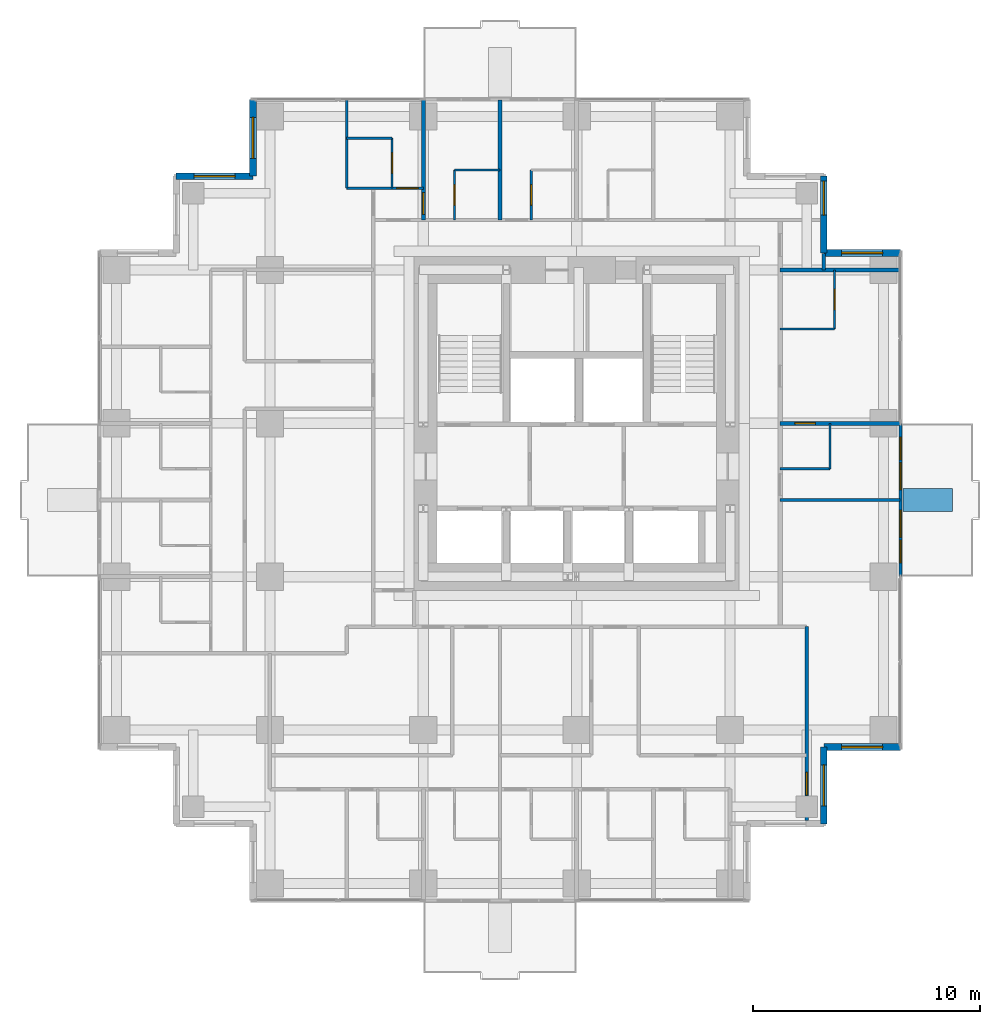
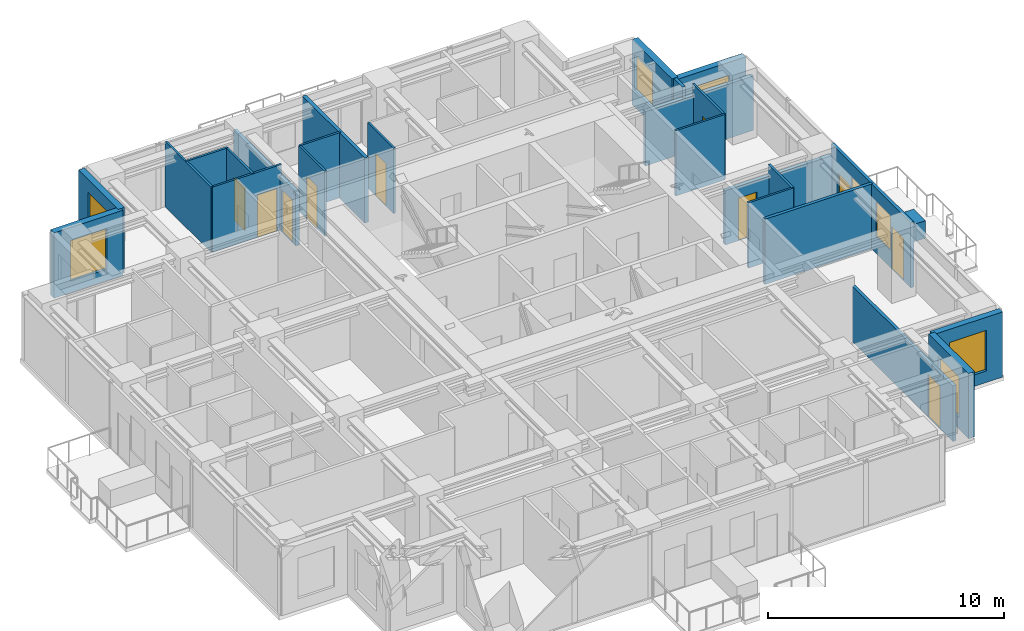
# One storey, part 8 of 10: 26 walls, 10 doors, 8 windows, 18 openings.
"""IFC4 building model written with IfcOpenShell, lengths in metres."""

import ifcopenshell
import ifcopenshell.guid

model = None  # the IFC model being written
_history = None  # IfcOwnerHistory: only IFC2X3 demands one
_inside = {}  # id of a spatial element -> (the spatial element, [elements in it])
_under = {}  # id of a project, library or spatial element -> (it, [spatial elements below it])
_declared = {}  # id of a project -> (the project, [libraries it declares])
_typed = {}  # id of a type object -> (the type object, [elements of that type])
_made_of = {}  # id of a material, layer set ... -> (it, [elements and type objects made of it])


def new_model(schema):
    """Start an empty IFC model of exactly this schema.

    Asked for "IFC4X3", IfcOpenShell would pick the latest addendum, in which some entities
    have other attributes; the version numbers below select the first issue.
    IFC2X3 requires an IfcOwnerHistory on every rooted entity: one is made here for all.
    """
    global model, _history
    if schema == "IFC4X3":
        model = ifcopenshell.file(schema_version=(4, 3, 0, 0))
    else:
        model = ifcopenshell.file(schema=schema)
    _inside.clear()
    _under.clear()
    _declared.clear()
    _typed.clear()
    _made_of.clear()
    _history = None
    if model.schema == "IFC2X3":
        org = make("IfcOrganization", Name="unknown")
        user = make(
            "IfcPersonAndOrganization",
            ThePerson=make("IfcPerson", FamilyName="unknown"),
            TheOrganization=org,
        )
        app = make(
            "IfcApplication",
            ApplicationDeveloper=org,
            Version="unknown",
            ApplicationFullName="unknown",
            ApplicationIdentifier="unknown",
        )
        _history = make(
            "IfcOwnerHistory",
            OwningUser=user,
            OwningApplication=app,
            ChangeAction="ADDED",
            CreationDate=0,
        )
    return model


def make(cls, **values):
    """One entity of the class cls with the attributes given. An attribute that is None is left unset."""
    return model.create_entity(
        cls, **{name: value for name, value in values.items() if value is not None}
    )


def rooted(cls, **values):
    """An entity with a GlobalId (a new one), such as an element, a storey or a relation."""
    return make(cls, GlobalId=ifcopenshell.guid.new(), OwnerHistory=_history, **values)


def si_unit(unit_type, name, prefix=None):
    """IfcSIUnit, for example si_unit("LENGTHUNIT", "METRE", prefix="MILLI")."""
    return make("IfcSIUnit", UnitType=unit_type, Prefix=prefix, Name=name)


def assignment(units):
    """IfcUnitAssignment: the units of a project."""
    return None if units is None else make("IfcUnitAssignment", Units=units)


def point(xyz):
    """IfcCartesianPoint."""
    return None if xyz is None else make("IfcCartesianPoint", Coordinates=xyz)


def direction(xyz):
    """IfcDirection."""
    return None if xyz is None else make("IfcDirection", DirectionRatios=xyz)


def frame(location, z_axis=None, x_axis=None):
    """IfcAxis2Placement3D, a coordinate frame: its origin and axes. An axis left out is left unset."""
    return make(
        "IfcAxis2Placement3D",
        Location=point(location),
        Axis=direction(z_axis),
        RefDirection=direction(x_axis),
    )


def frame_2d(location, x_axis=None):
    """IfcAxis2Placement2D, a coordinate frame in the plane: its origin and x axis."""
    return make(
        "IfcAxis2Placement2D", Location=point(location), RefDirection=direction(x_axis)
    )


def origin():
    """The frame at (0, 0, 0) with its axes left unset."""
    return frame((0.0, 0.0, 0.0))


def place(relative_to, where):
    """IfcLocalPlacement: puts the frame where relative to a parent placement (None: the world)."""
    return make(
        "IfcLocalPlacement", PlacementRelTo=relative_to, RelativePlacement=where
    )


def context(
    kind, dimensions, precision=None, world=None, true_north=None, identifier=None
):
    """IfcGeometricRepresentationContext, for example the 3D "Model" context."""
    return make(
        "IfcGeometricRepresentationContext",
        ContextIdentifier=identifier,
        ContextType=kind,
        CoordinateSpaceDimension=dimensions,
        Precision=precision,
        WorldCoordinateSystem=world,
        TrueNorth=true_north,
    )


def subcontext(parent, identifier, kind, view, scale=None):
    """IfcGeometricRepresentationSubContext, for example "Body" below "Model"."""
    return make(
        "IfcGeometricRepresentationSubContext",
        ContextIdentifier=identifier,
        ContextType=kind,
        ParentContext=parent,
        TargetScale=scale,
        TargetView=view,
    )


def project(units=None, contexts=None):
    """IfcProject with its units and contexts."""
    return rooted(
        "IfcProject",
        Name="project",
        RepresentationContexts=contexts,
        UnitsInContext=assignment(units),
    )


def spatial(cls, under=None, at=None, **own):
    """A site, building, storey or space (cls), placed at a placement, below another one or the project."""
    s = rooted(cls, ObjectPlacement=at, **own)
    if under is not None:
        _under.setdefault(under.id(), (under, []))[1].append(s)
    return s


def profile(cls, at=None, kind="AREA", **sizes):
    """A parametric profile (cls). Its sizes go by their IFC names, for example OverallWidth=200.0."""
    return make(cls, ProfileType=kind, Position=at, **sizes)


def rectangle(**sizes):
    """IfcRectangleProfileDef."""
    return profile("IfcRectangleProfileDef", **sizes)


def extrude(swept, where, along, depth):
    """IfcExtrudedAreaSolid: the profile swept, set in the frame where, extruded along a direction by depth."""
    return make(
        "IfcExtrudedAreaSolid",
        SweptArea=swept,
        Position=where,
        ExtrudedDirection=direction(along),
        Depth=depth,
    )


def shape(context_of_items, identifier, shape_type, items):
    """IfcShapeRepresentation: the items that make up one representation, for example the "Body"."""
    return make(
        "IfcShapeRepresentation",
        ContextOfItems=context_of_items,
        RepresentationIdentifier=identifier,
        RepresentationType=shape_type,
        Items=items,
    )


def material(Name=None, Category=None):
    """IfcMaterial."""
    return make("IfcMaterial", Name=Name, Category=Category)


def layer(
    of_material, thickness, ventilated=None, Name=None, Category=None, Priority=None
):
    """IfcMaterialLayer: one layer of a wall or slab, of a material (None: an air gap)."""
    return make(
        "IfcMaterialLayer",
        Material=of_material,
        LayerThickness=thickness,
        IsVentilated=ventilated,
        Name=Name,
        Category=Category,
        Priority=Priority,
    )


def layer_set(layers, Name=None):
    """IfcMaterialLayerSet."""
    return make("IfcMaterialLayerSet", MaterialLayers=layers, LayerSetName=Name)


def made_of(thing, what):
    """Note that an element or type object is made of a material, layer set ...; save() writes the relation."""
    if what is not None:
        _made_of.setdefault(what.id(), (what, []))[1].append(thing)
    return thing


def type_object(cls, material=None, **own):
    """A type object (cls), such as IfcWallType, which elements share."""
    return made_of(rooted(cls, **own), material)


def element(
    cls,
    number,
    at=None,
    inside=None,
    cuts=None,
    type_object=None,
    material=None,
    context=None,
    identifier="Body",
    shape_type=None,
    held_by="IfcProductDefinitionShape",
    body=None,
    shapes=None,
    **own,
):
    """One element of the class cls, such as IfcWall. Its Tag is "e" and its number.

    at: its placement. inside: the storey or other place that contains it. cuts: it is an
    opening in that element (IfcRelVoidsElement). A single representation is given by context,
    identifier, shape_type and body (its items); several are given by shapes. held_by: the class
    of the entity that holds the representations. save() writes the other relations.
    """
    e = rooted(cls, Tag="e%d" % number, ObjectPlacement=at, **own)
    if body is not None:
        shapes = [shape(context, identifier, shape_type, body)]
    if shapes is not None:
        e.Representation = make(held_by, Representations=shapes)
    if inside is not None:
        _inside.setdefault(inside.id(), (inside, []))[1].append(e)
    if cuts is not None:
        rooted(
            "IfcRelVoidsElement", RelatingBuildingElement=cuts, RelatedOpeningElement=e
        )
    if type_object is not None:
        _typed.setdefault(type_object.id(), (type_object, []))[1].append(e)
    return made_of(e, material)


def fill(opening, filler):
    """IfcRelFillsElement: the door or window that sits in an opening."""
    return rooted(
        "IfcRelFillsElement",
        RelatingOpeningElement=opening,
        RelatedBuildingElement=filler,
    )


def aggregate(whole, parts):
    """IfcRelAggregates: a whole, such as a stair, and the parts it consists of."""
    return rooted("IfcRelAggregates", RelatingObject=whole, RelatedObjects=parts)


def save(model, path):
    """Write the relations noted so far, then the file.

    IfcRelAggregates (storeys below a building ...), IfcRelContainedInSpatialStructure (elements
    in a storey), IfcRelDefinesByType, IfcRelAssociatesMaterial and IfcRelDeclares: one each for
    every whole, place, type object, material and project.
    """
    for whole, parts in _under.values():
        aggregate(whole, parts)
    for where, things in _inside.values():
        rooted(
            "IfcRelContainedInSpatialStructure",
            RelatedElements=things,
            RelatingStructure=where,
        )
    for kind, things in _typed.values():
        rooted("IfcRelDefinesByType", RelatedObjects=things, RelatingType=kind)
    for what, things in _made_of.values():
        rooted("IfcRelAssociatesMaterial", RelatedObjects=things, RelatingMaterial=what)
    for by, libraries in _declared.values():
        rooted("IfcRelDeclares", RelatingContext=by, RelatedDefinitions=libraries)
    model.write(path)


model = new_model("IFC4")

# Units and contexts
model_context = context("Model", 3, precision=1e-05, world=origin(), true_north=direction((0.0, 1.0)))
body_context = subcontext(model_context, "Body", "Model", "MODEL_VIEW")
ifc_project = project(units=[si_unit("LENGTHUNIT", "METRE"), si_unit("AREAUNIT", "SQUARE_METRE"), si_unit("VOLUMEUNIT", "CUBIC_METRE"), si_unit("PLANEANGLEUNIT", "RADIAN"), si_unit("MASSUNIT", "GRAM", prefix="KILO")], contexts=[model_context])

# Site, building, storey
site_placement = place(None, origin())
site = spatial("IfcSite", under=ifc_project, at=site_placement, CompositionType="ELEMENT")
building_placement = place(site_placement, origin())
building = spatial("IfcBuilding", under=site, at=building_placement, Name="Nyansa Garden Tower", CompositionType="ELEMENT")
storey_placement = place(building_placement, frame((0.0, 0.0, 185.39990234375)))
storey = spatial("IfcBuildingStorey", under=building, at=storey_placement, Name="L50", CompositionType="ELEMENT", Elevation=185.39990234375)

# Wall, opening, door
ifc_material_1 = material(Name="Dense blockwork, plastered both sides, 55 dB", Category="masonry")
ifc_layer_1 = layer(ifc_material_1, 0.175048828125)
ifc_layer_set_1 = layer_set([ifc_layer_1], Name="Acoustic party wall PW175")
wall_type_1 = type_object("IfcWallType", Name="Acoustic party wall PW175", PredefinedType="PARTITIONING", material=ifc_layer_set_1)
wall_1_placement = place(storey_placement, frame((13.5, 29.199951171875, 0.0), z_axis=(0.0, 0.0, 1.0), x_axis=(0.0, 1.0, 0.0)))
wall_1 = element("IfcWall", 1, at=wall_1_placement, inside=storey, type_object=wall_type_1, Name="Party wall", PredefinedType="PARTITIONING", context=body_context, shape_type="SweptSolid", body=[
    extrude(rectangle(XDim=5.283935546875, YDim=0.175048828125, at=frame_2d((2.64208984375, 0.0))), origin(), (0.0, 0.0, 1.0), 2.80615234375),
])
opening_1_placement = place(wall_1_placement, frame((0.25, 0.0, 0.0)))
opening_1 = element("IfcOpeningElement", 2, at=opening_1_placement, cuts=wall_1, Name="Opening D14", PredefinedType="OPENING", context=body_context, shape_type="SweptSolid", body=[
    extrude(rectangle(XDim=0.949951171875, YDim=2.199951171875, at=frame_2d((0.47509765625, 1.10009765625))), frame((0.0, 0.097412109375, 0.0), z_axis=(0.0, -1.0, 0.0), x_axis=(1.0, 0.0, 0.0)), (0.0, 0.0, 1.0), 0.195068359375),
])
ifc_material_2 = material(Name="Timber flush door, 60 minute fire resisting, self-closing", Category="wood")
door_type_1 = type_object("IfcDoorType", Name="Studio entrance door D14 950x2200", OperationType="SINGLE_SWING_LEFT", PredefinedType="DOOR", material=ifc_material_2)
door_1_placement = place(opening_1_placement, origin())
door_1 = element("IfcDoor", 3, at=door_1_placement, inside=storey, type_object=door_type_1, Name="Door L50-042", OperationType="SINGLE_SWING_LEFT", OverallHeight=2.199951171875, OverallWidth=0.949951171875, PredefinedType="DOOR", context=body_context, shape_type="SweptSolid", body=[
    extrude(rectangle(XDim=0.949951171875, YDim=2.199951171875, at=frame_2d((0.47509765625, 1.10009765625))), frame((0.0, 0.02490234375, 0.0), z_axis=(0.0, -1.0, 0.0), x_axis=(1.0, 0.0, 0.0)), (0.0, 0.0, 1.0), 0.050048828125),
])
fill(opening_1, door_1)

# Wall
wall_2_placement = place(storey_placement, frame((16.875, 29.199951171875, 0.0), z_axis=(0.0, 0.0, 1.0), x_axis=(0.0, 1.0, 0.0)))
element("IfcWall", 4, at=wall_2_placement, inside=storey, type_object=wall_type_1, Name="Party wall", PredefinedType="PARTITIONING", context=body_context, shape_type="SweptSolid", body=[
    extrude(rectangle(XDim=5.283935546875, YDim=0.175048828125, at=frame_2d((2.64208984375, 0.0))), origin(), (0.0, 0.0, 1.0), 3.375),
])

# Wall, opening, door
wall_3_placement = place(storey_placement, frame((29.199951171875, 20.25, 0.0), z_axis=(0.0, 0.0, 1.0), x_axis=(1.0, 0.0, 0.0)))
wall_3 = element("IfcWall", 5, at=wall_3_placement, inside=storey, type_object=wall_type_1, Name="Party wall", PredefinedType="PARTITIONING", context=body_context, shape_type="SweptSolid", body=[
    extrude(rectangle(XDim=5.283935546875, YDim=0.175048828125, at=frame_2d((2.64208984375, 0.0))), origin(), (0.0, 0.0, 1.0), 2.80615234375),
])
opening_2_placement = place(wall_3_placement, frame((0.64990234375, 0.0, 0.0)))
opening_2 = element("IfcOpeningElement", 6, at=opening_2_placement, cuts=wall_3, Name="Opening D02", PredefinedType="OPENING", context=body_context, shape_type="SweptSolid", body=[
    extrude(rectangle(XDim=0.89990234375, YDim=2.199951171875, at=frame_2d((0.449951171875, 1.10009765625))), frame((0.0, 0.097412109375, 0.0), z_axis=(0.0, -1.0, 0.0), x_axis=(1.0, 0.0, 0.0)), (0.0, 0.0, 1.0), 0.195068359375),
])
ifc_material_3 = material(Name="Timber flush door", Category="wood")
door_type_2 = type_object("IfcDoorType", Name="En-suite door D02 900x2200", OperationType="SINGLE_SWING_RIGHT", PredefinedType="DOOR", material=ifc_material_3)
door_2_placement = place(opening_2_placement, origin())
door_2 = element("IfcDoor", 7, at=door_2_placement, inside=storey, type_object=door_type_2, Name="Door L50-037", OperationType="SINGLE_SWING_RIGHT", OverallHeight=2.199951171875, OverallWidth=0.89990234375, PredefinedType="DOOR", context=body_context, shape_type="SweptSolid", body=[
    extrude(rectangle(XDim=0.89990234375, YDim=2.199951171875, at=frame_2d((0.449951171875, 1.10009765625))), frame((0.0, 0.02490234375, 0.0), z_axis=(0.0, -1.0, 0.0), x_axis=(1.0, 0.0, 0.0)), (0.0, 0.0, 1.0), 0.050048828125),
])
fill(opening_2, door_2)

# Wall
wall_4_placement = place(storey_placement, frame((29.199951171875, 27.0, 0.0), z_axis=(0.0, 0.0, 1.0), x_axis=(1.0, 0.0, 0.0)))
element("IfcWall", 8, at=wall_4_placement, inside=storey, type_object=wall_type_1, Name="Party wall", PredefinedType="PARTITIONING", context=body_context, shape_type="SweptSolid", body=[
    extrude(rectangle(XDim=5.283935546875, YDim=0.175048828125, at=frame_2d((2.64208984375, 0.0))), origin(), (0.0, 0.0, 1.0), 2.80615234375),
])

# Wall, openings, doors, windows
ifc_material_4 = material(Name="Black aluminium framed glazed screen", Category="aluminium")
ifc_layer_2 = layer(ifc_material_4, 0.14990234375)
ifc_layer_set_2 = layer_set([ifc_layer_2], Name="Balcony screen wall BW150")
wall_type_2 = type_object("IfcWallType", Name="Balcony screen wall BW150", PredefinedType="SOLIDWALL", material=ifc_layer_set_2)
wall_5_placement = place(storey_placement, frame((34.5, 20.25, 0.0), z_axis=(0.0, 0.0, 1.0), x_axis=(0.0, -1.0, 0.0)))
wall_5 = element("IfcWall", 9, at=wall_5_placement, inside=storey, type_object=wall_type_2, Name="Glazed screen wall L50 E", PredefinedType="SOLIDWALL", context=body_context, shape_type="SweptSolid", body=[
    extrude(rectangle(XDim=6.75, YDim=0.14990234375, at=frame_2d((3.375, 0.0))), origin(), (0.0, 0.0, 1.0), 3.375),
])
opening_3_placement = place(wall_5_placement, frame((0.612548828125, 0.0, 0.0)))
opening_3 = element("IfcOpeningElement", 10, at=opening_3_placement, cuts=wall_5, Name="Opening D20", PredefinedType="OPENING", context=body_context, shape_type="SweptSolid", body=[
    extrude(rectangle(XDim=1.0, YDim=2.199951171875, at=frame_2d((0.5, 1.10009765625))), frame((0.0, 0.0849609375, 0.0), z_axis=(0.0, -1.0, 0.0), x_axis=(1.0, 0.0, 0.0)), (0.0, 0.0, 1.0), 0.169921875),
])
opening_4_placement = place(wall_5_placement, frame((1.72509765625, 0.0, 0.89990234375)))
opening_4 = element("IfcOpeningElement", 11, at=opening_4_placement, cuts=wall_5, Name="Opening W6", PredefinedType="OPENING", context=body_context, shape_type="SweptSolid", body=[
    extrude(rectangle(XDim=1.199951171875, YDim=1.800048828125, at=frame_2d((0.60009765625, 0.89990234375))), frame((0.0, 0.0849609375, 0.0), z_axis=(0.0, -1.0, 0.0), x_axis=(1.0, 0.0, 0.0)), (0.0, 0.0, 1.0), 0.169921875),
])
opening_5_placement = place(wall_5_placement, frame((5.137451171875, 0.0, 0.0)))
opening_5 = element("IfcOpeningElement", 12, at=opening_5_placement, cuts=wall_5, Name="Opening D20", PredefinedType="OPENING", context=body_context, shape_type="SweptSolid", body=[
    extrude(rectangle(XDim=1.0, YDim=2.199951171875, at=frame_2d((0.5, 1.10009765625))), frame((0.0, 0.0849609375, 0.0), z_axis=(0.0, -1.0, 0.0), x_axis=(1.0, 0.0, 0.0)), (0.0, 0.0, 1.0), 0.169921875),
])
opening_6_placement = place(wall_5_placement, frame((3.824951171875, 0.0, 0.89990234375)))
opening_6 = element("IfcOpeningElement", 13, at=opening_6_placement, cuts=wall_5, Name="Opening W6", PredefinedType="OPENING", context=body_context, shape_type="SweptSolid", body=[
    extrude(rectangle(XDim=1.199951171875, YDim=1.800048828125, at=frame_2d((0.60009765625, 0.89990234375))), frame((0.0, 0.0849609375, 0.0), z_axis=(0.0, -1.0, 0.0), x_axis=(1.0, 0.0, 0.0)), (0.0, 0.0, 1.0), 0.169921875),
])
ifc_material_5 = material(Name="Black aluminium framed glazed door", Category="aluminium")
door_type_3 = type_object("IfcDoorType", Name="Balcony door D20 1000x2200", OperationType="NOTDEFINED", PredefinedType="DOOR", material=ifc_material_5)
door_3_placement = place(opening_3_placement, origin())
door_3 = element("IfcDoor", 14, at=door_3_placement, inside=storey, type_object=door_type_3, Name="Balcony door L50", OperationType="SINGLE_SWING_LEFT", OverallHeight=2.199951171875, OverallWidth=1.0, PredefinedType="DOOR", context=body_context, shape_type="SweptSolid", body=[
    extrude(rectangle(XDim=1.0, YDim=2.199951171875, at=frame_2d((0.5, 1.10009765625))), frame((0.0, 0.02490234375, 0.0), z_axis=(0.0, -1.0, 0.0), x_axis=(1.0, 0.0, 0.0)), (0.0, 0.0, 1.0), 0.050048828125),
])
fill(opening_3, door_3)
door_4_placement = place(opening_5_placement, origin())
door_4 = element("IfcDoor", 15, at=door_4_placement, inside=storey, type_object=door_type_3, Name="Balcony door L50", OperationType="SINGLE_SWING_RIGHT", OverallHeight=2.199951171875, OverallWidth=1.0, PredefinedType="DOOR", context=body_context, shape_type="SweptSolid", body=[
    extrude(rectangle(XDim=1.0, YDim=2.199951171875, at=frame_2d((0.5, 1.10009765625))), frame((0.0, 0.02490234375, 0.0), z_axis=(0.0, -1.0, 0.0), x_axis=(1.0, 0.0, 0.0)), (0.0, 0.0, 1.0), 0.050048828125),
])
fill(opening_5, door_4)
ifc_material_6 = material(Name="Black aluminium frame, dark tinted double glazing", Category="aluminium")
window_type_1 = type_object("IfcWindowType", Name="Balcony window W6 1200x1800", PartitioningType="SINGLE_PANEL", PredefinedType="WINDOW", material=ifc_material_6)
window_1_placement = place(opening_4_placement, origin())
window_1 = element("IfcWindow", 16, at=window_1_placement, inside=storey, type_object=window_type_1, Name="Window L50", OverallHeight=1.800048828125, OverallWidth=1.199951171875, PartitioningType="SINGLE_PANEL", PredefinedType="WINDOW", context=body_context, shape_type="SweptSolid", body=[
    extrude(rectangle(XDim=1.199951171875, YDim=1.800048828125, at=frame_2d((0.60009765625, 0.89990234375))), frame((0.0, 0.030029296875, 0.0), z_axis=(0.0, -1.0, 0.0), x_axis=(1.0, 0.0, 0.0)), (0.0, 0.0, 1.0), 0.06005859375),
])
fill(opening_4, window_1)
window_2_placement = place(opening_6_placement, origin())
window_2 = element("IfcWindow", 17, at=window_2_placement, inside=storey, type_object=window_type_1, Name="Window L50", OverallHeight=1.800048828125, OverallWidth=1.199951171875, PartitioningType="SINGLE_PANEL", PredefinedType="WINDOW", context=body_context, shape_type="SweptSolid", body=[
    extrude(rectangle(XDim=1.199951171875, YDim=1.800048828125, at=frame_2d((0.60009765625, 0.89990234375))), frame((0.0, 0.030029296875, 0.0), z_axis=(0.0, -1.0, 0.0), x_axis=(1.0, 0.0, 0.0)), (0.0, 0.0, 1.0), 0.06005859375),
])
fill(opening_6, window_2)

# Wall
ifc_material_7 = material(Name="Blockwork, plastered both sides", Category="masonry")
ifc_layer_3 = layer(ifc_material_7, 0.14990234375)
ifc_layer_set_3 = layer_set([ifc_layer_3], Name="Partition PW150")
wall_type_3 = type_object("IfcWallType", Name="Partition PW150", PredefinedType="PARTITIONING", material=ifc_layer_set_3)
wall_6_placement = place(storey_placement, frame((29.199951171875, 16.875, 0.0), z_axis=(0.0, 0.0, 1.0), x_axis=(1.0, 0.0, 0.0)))
element("IfcWall", 18, at=wall_6_placement, inside=storey, type_object=wall_type_3, Name="Partition", PredefinedType="PARTITIONING", context=body_context, shape_type="SweptSolid", body=[
    extrude(rectangle(XDim=5.283935546875, YDim=0.14990234375, at=frame_2d((2.64208984375, 0.0))), origin(), (0.0, 0.0, 1.0), 3.375),
])

# Wall, opening, door
wall_7_placement = place(storey_placement, frame((30.375, 2.77490234375, 0.0), z_axis=(0.0, 0.0, 1.0), x_axis=(0.0, 1.0, 0.0)))
wall_7 = element("IfcWall", 19, at=wall_7_placement, inside=storey, type_object=wall_type_3, Name="Partition", PredefinedType="PARTITIONING", context=body_context, shape_type="SweptSolid", body=[
    extrude(rectangle(XDim=8.525146484375, YDim=0.14990234375, at=frame_2d((4.2626953125, 0.0))), origin(), (0.0, 0.0, 1.0), 2.877197265625),
])
opening_7_placement = place(wall_7_placement, frame((1.115966796875, 0.0, 0.0)))
opening_7 = element("IfcOpeningElement", 20, at=opening_7_placement, cuts=wall_7, Name="Opening D03", PredefinedType="OPENING", context=body_context, shape_type="SweptSolid", body=[
    extrude(rectangle(XDim=1.0, YDim=2.199951171875, at=frame_2d((0.5, 1.10009765625))), frame((0.0, 0.0849609375, 0.0), z_axis=(0.0, -1.0, 0.0), x_axis=(1.0, 0.0, 0.0)), (0.0, 0.0, 1.0), 0.169921875),
])
ifc_material_8 = material(Name="Timber flush door, 60 minute fire resisting", Category="wood")
door_type_4 = type_object("IfcDoorType", Name="Cluster entrance door D03 1000x2200", OperationType="SINGLE_SWING_LEFT", PredefinedType="DOOR", material=ifc_material_8)
door_5_placement = place(opening_7_placement, origin())
door_5 = element("IfcDoor", 21, at=door_5_placement, inside=storey, type_object=door_type_4, Name="Door L50-033", OperationType="SINGLE_SWING_LEFT", OverallHeight=2.199951171875, OverallWidth=1.0, PredefinedType="DOOR", context=body_context, shape_type="SweptSolid", body=[
    extrude(rectangle(XDim=1.0, YDim=2.199951171875, at=frame_2d((0.5, 1.10009765625))), frame((0.0, 0.02490234375, 0.0), z_axis=(0.0, -1.0, 0.0), x_axis=(1.0, 0.0, 0.0)), (0.0, 0.0, 1.0), 0.050048828125),
])
fill(opening_7, door_5)

# Wall
wall_8_placement = place(storey_placement, frame((31.125, 27.0, 0.0), z_axis=(0.0, 0.0, 1.0), x_axis=(0.0, 1.0, 0.0)))
element("IfcWall", 22, at=wall_8_placement, inside=storey, type_object=wall_type_3, Name="Partition", PredefinedType="PARTITIONING", context=body_context, shape_type="SweptSolid", body=[
    extrude(rectangle(XDim=0.73388671875, YDim=0.14990234375, at=frame_2d((0.366943359375, 0.0))), origin(), (0.0, 0.0, 1.0), 3.375),
])

# Wall, opening, window
ifc_material_9 = material(Name="Turquoise glazed tile on concrete blockwork", Category="masonry")
ifc_layer_4 = layer(ifc_material_9, 0.300048828125)
ifc_layer_set_4 = layer_set([ifc_layer_4], Name="Tiled corner wall TW300")
wall_type_4 = type_object("IfcWallType", Name="Tiled corner wall TW300", PredefinedType="SOLIDWALL", material=ifc_layer_set_4)
wall_9_placement = place(storey_placement, frame((34.5, 27.75, 0.0), z_axis=(0.0, 0.0, 1.0), x_axis=(-1.0, 0.0, 0.0)))
wall_9 = element("IfcWall", 23, at=wall_9_placement, inside=storey, type_object=wall_type_4, Name="Tiled corner wall L50", PredefinedType="SOLIDWALL", context=body_context, shape_type="SweptSolid", body=[
    extrude(rectangle(XDim=3.375, YDim=0.300048828125, at=frame_2d((1.6875, 0.0))), origin(), (0.0, 0.0, 1.0), 3.375),
])
opening_8_placement = place(wall_9_placement, frame((0.78759765625, 0.0, 0.60009765625)))
opening_8 = element("IfcOpeningElement", 24, at=opening_8_placement, cuts=wall_9, Name="Opening W2", PredefinedType="OPENING", context=body_context, shape_type="SweptSolid", body=[
    extrude(rectangle(XDim=1.800048828125, YDim=2.10009765625, at=frame_2d((0.89990234375, 1.050048828125))), frame((0.0, 0.159912109375, 0.0), z_axis=(0.0, -1.0, 0.0), x_axis=(1.0, 0.0, 0.0)), (0.0, 0.0, 1.0), 0.320068359375),
])
ifc_material_10 = material(Name="Black aluminium frame, dark tinted double glazing", Category="aluminium")
window_type_2 = type_object("IfcWindowType", Name="Window W2 1800x2100", PartitioningType="SINGLE_PANEL", PredefinedType="WINDOW", material=ifc_material_10)
window_3_placement = place(opening_8_placement, origin())
window_3 = element("IfcWindow", 25, at=window_3_placement, inside=storey, type_object=window_type_2, Name="Corner window L50", OverallHeight=2.10009765625, OverallWidth=1.800048828125, PartitioningType="SINGLE_PANEL", PredefinedType="WINDOW", context=body_context, shape_type="SweptSolid", body=[
    extrude(rectangle(XDim=1.800048828125, YDim=2.10009765625, at=frame_2d((0.89990234375, 1.050048828125))), frame((0.0, 0.030029296875, 0.0), z_axis=(0.0, -1.0, 0.0), x_axis=(1.0, 0.0, 0.0)), (0.0, 0.0, 1.0), 0.06005859375),
])
fill(opening_8, window_3)

wall_10_placement = place(storey_placement, frame((31.125, 27.75, 0.0), z_axis=(0.0, 0.0, 1.0), x_axis=(0.0, 1.0, 0.0)))
wall_10 = element("IfcWall", 26, at=wall_10_placement, inside=storey, type_object=wall_type_4, Name="Tiled corner wall L50", PredefinedType="SOLIDWALL", context=body_context, shape_type="SweptSolid", body=[
    extrude(rectangle(XDim=3.375, YDim=0.300048828125, at=frame_2d((1.6875, 0.0))), origin(), (0.0, 0.0, 1.0), 3.375),
])
opening_9_placement = place(wall_10_placement, frame((1.66259765625, 0.0, 0.89990234375)))
opening_9 = element("IfcOpeningElement", 27, at=opening_9_placement, cuts=wall_10, Name="Opening W1", PredefinedType="OPENING", context=body_context, shape_type="SweptSolid", body=[
    extrude(rectangle(XDim=1.5, YDim=1.800048828125, at=frame_2d((0.75, 0.89990234375))), frame((0.0, 0.159912109375, 0.0), z_axis=(0.0, -1.0, 0.0), x_axis=(1.0, 0.0, 0.0)), (0.0, 0.0, 1.0), 0.320068359375),
])
ifc_material_11 = material(Name="Black aluminium frame, dark tinted double glazing", Category="aluminium")
window_type_3 = type_object("IfcWindowType", Name="Window W1 1500x1800", PartitioningType="SINGLE_PANEL", PredefinedType="WINDOW", material=ifc_material_11)
window_4_placement = place(opening_9_placement, origin())
window_4 = element("IfcWindow", 28, at=window_4_placement, inside=storey, type_object=window_type_3, Name="Corner window L50", OverallHeight=1.800048828125, OverallWidth=1.5, PartitioningType="SINGLE_PANEL", PredefinedType="WINDOW", context=body_context, shape_type="SweptSolid", body=[
    extrude(rectangle(XDim=1.5, YDim=1.800048828125, at=frame_2d((0.75, 0.89990234375))), frame((0.0, 0.030029296875, 0.0), z_axis=(0.0, -1.0, 0.0), x_axis=(1.0, 0.0, 0.0)), (0.0, 0.0, 1.0), 0.06005859375),
])
fill(opening_9, window_4)

wall_11_placement = place(storey_placement, frame((6.0, 34.5, 0.0), z_axis=(0.0, 0.0, 1.0), x_axis=(0.0, -1.0, 0.0)))
wall_11 = element("IfcWall", 29, at=wall_11_placement, inside=storey, type_object=wall_type_4, Name="Tiled corner wall L50", PredefinedType="SOLIDWALL", context=body_context, shape_type="SweptSolid", body=[
    extrude(rectangle(XDim=3.375, YDim=0.300048828125, at=frame_2d((1.6875, 0.0))), origin(), (0.0, 0.0, 1.0), 3.375),
])
opening_10_placement = place(wall_11_placement, frame((0.78759765625, 0.0, 0.60009765625)))
opening_10 = element("IfcOpeningElement", 30, at=opening_10_placement, cuts=wall_11, Name="Opening W2", PredefinedType="OPENING", context=body_context, shape_type="SweptSolid", body=[
    extrude(rectangle(XDim=1.800048828125, YDim=2.10009765625, at=frame_2d((0.89990234375, 1.050048828125))), frame((0.0, 0.159912109375, 0.0), z_axis=(0.0, -1.0, 0.0), x_axis=(1.0, 0.0, 0.0)), (0.0, 0.0, 1.0), 0.320068359375),
])
window_5_placement = place(opening_10_placement, origin())
window_5 = element("IfcWindow", 31, at=window_5_placement, inside=storey, type_object=window_type_2, Name="Corner window L50", OverallHeight=2.10009765625, OverallWidth=1.800048828125, PartitioningType="SINGLE_PANEL", PredefinedType="WINDOW", context=body_context, shape_type="SweptSolid", body=[
    extrude(rectangle(XDim=1.800048828125, YDim=2.10009765625, at=frame_2d((0.89990234375, 1.050048828125))), frame((0.0, 0.030029296875, 0.0), z_axis=(0.0, -1.0, 0.0), x_axis=(1.0, 0.0, 0.0)), (0.0, 0.0, 1.0), 0.06005859375),
])
fill(opening_10, window_5)

wall_12_placement = place(storey_placement, frame((6.0, 31.125, 0.0), z_axis=(0.0, 0.0, 1.0), x_axis=(-1.0, 0.0, 0.0)))
wall_12 = element("IfcWall", 32, at=wall_12_placement, inside=storey, type_object=wall_type_4, Name="Tiled corner wall L50", PredefinedType="SOLIDWALL", context=body_context, shape_type="SweptSolid", body=[
    extrude(rectangle(XDim=3.375, YDim=0.300048828125, at=frame_2d((1.6875, 0.0))), origin(), (0.0, 0.0, 1.0), 3.375),
])
opening_11_placement = place(wall_12_placement, frame((0.78759765625, 0.0, 0.60009765625)))
opening_11 = element("IfcOpeningElement", 33, at=opening_11_placement, cuts=wall_12, Name="Opening W2", PredefinedType="OPENING", context=body_context, shape_type="SweptSolid", body=[
    extrude(rectangle(XDim=1.800048828125, YDim=2.10009765625, at=frame_2d((0.89990234375, 1.050048828125))), frame((0.0, 0.159912109375, 0.0), z_axis=(0.0, -1.0, 0.0), x_axis=(1.0, 0.0, 0.0)), (0.0, 0.0, 1.0), 0.320068359375),
])
window_6_placement = place(opening_11_placement, origin())
window_6 = element("IfcWindow", 34, at=window_6_placement, inside=storey, type_object=window_type_2, Name="Corner window L50", OverallHeight=2.10009765625, OverallWidth=1.800048828125, PartitioningType="SINGLE_PANEL", PredefinedType="WINDOW", context=body_context, shape_type="SweptSolid", body=[
    extrude(rectangle(XDim=1.800048828125, YDim=2.10009765625, at=frame_2d((0.89990234375, 1.050048828125))), frame((0.0, 0.030029296875, 0.0), z_axis=(0.0, -1.0, 0.0), x_axis=(1.0, 0.0, 0.0)), (0.0, 0.0, 1.0), 0.06005859375),
])
fill(opening_11, window_6)

wall_13_placement = place(storey_placement, frame((31.125, 2.625, 0.0), z_axis=(0.0, 0.0, 1.0), x_axis=(0.0, 1.0, 0.0)))
wall_13 = element("IfcWall", 35, at=wall_13_placement, inside=storey, type_object=wall_type_4, Name="Tiled corner wall L50", PredefinedType="SOLIDWALL", context=body_context, shape_type="SweptSolid", body=[
    extrude(rectangle(XDim=3.375, YDim=0.300048828125, at=frame_2d((1.6875, 0.0))), origin(), (0.0, 0.0, 1.0), 3.375),
])
opening_12_placement = place(wall_13_placement, frame((0.78759765625, 0.0, 0.60009765625)))
opening_12 = element("IfcOpeningElement", 36, at=opening_12_placement, cuts=wall_13, Name="Opening W2", PredefinedType="OPENING", context=body_context, shape_type="SweptSolid", body=[
    extrude(rectangle(XDim=1.800048828125, YDim=2.10009765625, at=frame_2d((0.89990234375, 1.050048828125))), frame((0.0, 0.159912109375, 0.0), z_axis=(0.0, -1.0, 0.0), x_axis=(1.0, 0.0, 0.0)), (0.0, 0.0, 1.0), 0.320068359375),
])
window_7_placement = place(opening_12_placement, origin())
window_7 = element("IfcWindow", 37, at=window_7_placement, inside=storey, type_object=window_type_2, Name="Corner window L50", OverallHeight=2.10009765625, OverallWidth=1.800048828125, PartitioningType="SINGLE_PANEL", PredefinedType="WINDOW", context=body_context, shape_type="SweptSolid", body=[
    extrude(rectangle(XDim=1.800048828125, YDim=2.10009765625, at=frame_2d((0.89990234375, 1.050048828125))), frame((0.0, 0.030029296875, 0.0), z_axis=(0.0, -1.0, 0.0), x_axis=(1.0, 0.0, 0.0)), (0.0, 0.0, 1.0), 0.06005859375),
])
fill(opening_12, window_7)

wall_14_placement = place(storey_placement, frame((31.125, 6.0, 0.0), z_axis=(0.0, 0.0, 1.0), x_axis=(1.0, 0.0, 0.0)))
wall_14 = element("IfcWall", 38, at=wall_14_placement, inside=storey, type_object=wall_type_4, Name="Tiled corner wall L50", PredefinedType="SOLIDWALL", context=body_context, shape_type="SweptSolid", body=[
    extrude(rectangle(XDim=3.375, YDim=0.300048828125, at=frame_2d((1.6875, 0.0))), origin(), (0.0, 0.0, 1.0), 3.375),
])
opening_13_placement = place(wall_14_placement, frame((0.78759765625, 0.0, 0.60009765625)))
opening_13 = element("IfcOpeningElement", 39, at=opening_13_placement, cuts=wall_14, Name="Opening W2", PredefinedType="OPENING", context=body_context, shape_type="SweptSolid", body=[
    extrude(rectangle(XDim=1.800048828125, YDim=2.10009765625, at=frame_2d((0.89990234375, 1.050048828125))), frame((0.0, 0.159912109375, 0.0), z_axis=(0.0, -1.0, 0.0), x_axis=(1.0, 0.0, 0.0)), (0.0, 0.0, 1.0), 0.320068359375),
])
window_8_placement = place(opening_13_placement, origin())
window_8 = element("IfcWindow", 40, at=window_8_placement, inside=storey, type_object=window_type_2, Name="Corner window L50", OverallHeight=2.10009765625, OverallWidth=1.800048828125, PartitioningType="SINGLE_PANEL", PredefinedType="WINDOW", context=body_context, shape_type="SweptSolid", body=[
    extrude(rectangle(XDim=1.800048828125, YDim=2.10009765625, at=frame_2d((0.89990234375, 1.050048828125))), frame((0.0, 0.030029296875, 0.0), z_axis=(0.0, -1.0, 0.0), x_axis=(1.0, 0.0, 0.0)), (0.0, 0.0, 1.0), 0.06005859375),
])
fill(opening_13, window_8)

# Walls
ifc_material_12 = material(Name="Concrete C40/50 planter, waterproofed", Category="concrete")
ifc_layer_5 = layer(ifc_material_12, 1.0)
ifc_layer_set_5 = layer_set([ifc_layer_5], Name="Tree planter TP1")
wall_type_5 = type_object("IfcWallType", Name="Tree planter TP1", PredefinedType="USERDEFINED", material=ifc_layer_set_5)
wall_15_placement = place(storey_placement, frame((34.60009765625, 16.875, 0.0), z_axis=(0.0, 0.0, 1.0), x_axis=(1.0, 0.0, 0.0)))
element("IfcWall", 41, at=wall_15_placement, inside=storey, type_object=wall_type_5, Name="Tree planter L50", ObjectType="TREE PLANTER", PredefinedType="USERDEFINED", context=body_context, shape_type="SweptSolid", body=[
    extrude(rectangle(XDim=2.199951171875, YDim=1.0, at=frame_2d((1.10009765625, 0.0))), origin(), (0.0, 0.0, 1.0), 0.900146484375),
])
ifc_material_13 = material(Name="Moisture resistant board on steel studs, tiled", Category="steel")
ifc_layer_6 = layer(ifc_material_13, 0.10009765625)
ifc_layer_set_6 = layer_set([ifc_layer_6], Name="Wet wall PW100")
wall_type_6 = type_object("IfcWallType", Name="Wet wall PW100", PredefinedType="PARTITIONING", material=ifc_layer_set_6)
wall_16_placement = place(storey_placement, frame((10.125, 30.60009765625, 0.0), z_axis=(0.0, 0.0, 1.0), x_axis=(0.0, 1.0, 0.0)))
element("IfcWall", 42, at=wall_16_placement, inside=storey, type_object=wall_type_6, Name="Wet wall", PredefinedType="PARTITIONING", context=body_context, shape_type="SweptSolid", body=[
    extrude(rectangle(XDim=3.8837890625, YDim=0.10009765625, at=frame_2d((1.94189453125, 0.0))), origin(), (0.0, 0.0, 1.0), 3.375),
])

# Wall, opening, door
wall_17_placement = place(storey_placement, frame((10.125, 30.60009765625, 0.0), z_axis=(0.0, 0.0, 1.0), x_axis=(1.0, 0.0, 0.0)))
wall_17 = element("IfcWall", 43, at=wall_17_placement, inside=storey, type_object=wall_type_6, Name="Wet wall", PredefinedType="PARTITIONING", context=body_context, shape_type="SweptSolid", body=[
    extrude(rectangle(XDim=3.375, YDim=0.10009765625, at=frame_2d((1.6875, 0.0))), origin(), (0.0, 0.0, 1.0), 3.375),
])
opening_14_placement = place(wall_17_placement, frame((2.199951171875, 0.0, 0.0)))
opening_14 = element("IfcOpeningElement", 44, at=opening_14_placement, cuts=wall_17, Name="Opening D14", PredefinedType="OPENING", context=body_context, shape_type="SweptSolid", body=[
    extrude(rectangle(XDim=0.949951171875, YDim=2.199951171875, at=frame_2d((0.47509765625, 1.10009765625))), frame((0.0, 0.06005859375, 0.0), z_axis=(0.0, -1.0, 0.0), x_axis=(1.0, 0.0, 0.0)), (0.0, 0.0, 1.0), 0.1201171875),
])
door_6_placement = place(opening_14_placement, origin())
door_6 = element("IfcDoor", 45, at=door_6_placement, inside=storey, type_object=door_type_1, Name="Door L50-040", OperationType="SINGLE_SWING_LEFT", OverallHeight=2.199951171875, OverallWidth=0.949951171875, PredefinedType="DOOR", context=body_context, shape_type="SweptSolid", body=[
    extrude(rectangle(XDim=0.949951171875, YDim=2.199951171875, at=frame_2d((0.47509765625, 1.10009765625))), frame((0.0, 0.02490234375, 0.0), z_axis=(0.0, -1.0, 0.0), x_axis=(1.0, 0.0, 0.0)), (0.0, 0.0, 1.0), 0.050048828125),
])
fill(opening_14, door_6)

# Wall
wall_18_placement = place(storey_placement, frame((10.125, 32.800048828125, 0.0), z_axis=(0.0, 0.0, 1.0), x_axis=(1.0, 0.0, 0.0)))
element("IfcWall", 46, at=wall_18_placement, inside=storey, type_object=wall_type_6, Name="Wet wall", PredefinedType="PARTITIONING", context=body_context, shape_type="SweptSolid", body=[
    extrude(rectangle(XDim=2.0, YDim=0.10009765625, at=frame_2d((1.0, 0.0))), origin(), (0.0, 0.0, 1.0), 3.375),
])

# Wall, opening, door
wall_19_placement = place(storey_placement, frame((12.125, 30.60009765625, 0.0), z_axis=(0.0, 0.0, 1.0), x_axis=(0.0, 1.0, 0.0)))
wall_19 = element("IfcWall", 47, at=wall_19_placement, inside=storey, type_object=wall_type_6, Name="Wet wall", PredefinedType="PARTITIONING", context=body_context, shape_type="SweptSolid", body=[
    extrude(rectangle(XDim=2.199951171875, YDim=0.10009765625, at=frame_2d((1.10009765625, 0.0))), origin(), (0.0, 0.0, 1.0), 3.375),
])
opening_15_placement = place(wall_19_placement, frame((0.64990234375, 0.0, 0.0)))
opening_15 = element("IfcOpeningElement", 48, at=opening_15_placement, cuts=wall_19, Name="Opening D02", PredefinedType="OPENING", context=body_context, shape_type="SweptSolid", body=[
    extrude(rectangle(XDim=0.89990234375, YDim=2.199951171875, at=frame_2d((0.449951171875, 1.10009765625))), frame((0.0, 0.06005859375, 0.0), z_axis=(0.0, -1.0, 0.0), x_axis=(1.0, 0.0, 0.0)), (0.0, 0.0, 1.0), 0.1201171875),
])
door_7_placement = place(opening_15_placement, origin())
door_7 = element("IfcDoor", 49, at=door_7_placement, inside=storey, type_object=door_type_2, Name="Door L50-041", OperationType="SINGLE_SWING_RIGHT", OverallHeight=2.199951171875, OverallWidth=0.89990234375, PredefinedType="DOOR", context=body_context, shape_type="SweptSolid", body=[
    extrude(rectangle(XDim=0.89990234375, YDim=2.199951171875, at=frame_2d((0.449951171875, 1.10009765625))), frame((0.0, 0.02490234375, 0.0), z_axis=(0.0, -1.0, 0.0), x_axis=(1.0, 0.0, 0.0)), (0.0, 0.0, 1.0), 0.050048828125),
])
fill(opening_15, door_7)

wall_20_placement = place(storey_placement, frame((14.875, 29.199951171875, 0.0), z_axis=(0.0, 0.0, 1.0), x_axis=(0.0, 1.0, 0.0)))
wall_20 = element("IfcWall", 50, at=wall_20_placement, inside=storey, type_object=wall_type_6, Name="Wet wall", PredefinedType="PARTITIONING", context=body_context, shape_type="SweptSolid", body=[
    extrude(rectangle(XDim=2.199951171875, YDim=0.10009765625, at=frame_2d((1.10009765625, 0.0))), origin(), (0.0, 0.0, 1.0), 3.375),
])
opening_16_placement = place(wall_20_placement, frame((0.64990234375, 0.0, 0.0)))
opening_16 = element("IfcOpeningElement", 51, at=opening_16_placement, cuts=wall_20, Name="Opening D02", PredefinedType="OPENING", context=body_context, shape_type="SweptSolid", body=[
    extrude(rectangle(XDim=0.89990234375, YDim=2.199951171875, at=frame_2d((0.449951171875, 1.10009765625))), frame((0.0, 0.06005859375, 0.0), z_axis=(0.0, -1.0, 0.0), x_axis=(1.0, 0.0, 0.0)), (0.0, 0.0, 1.0), 0.1201171875),
])
door_8_placement = place(opening_16_placement, origin())
door_8 = element("IfcDoor", 52, at=door_8_placement, inside=storey, type_object=door_type_2, Name="Door L50-043", OperationType="SINGLE_SWING_RIGHT", OverallHeight=2.199951171875, OverallWidth=0.89990234375, PredefinedType="DOOR", context=body_context, shape_type="SweptSolid", body=[
    extrude(rectangle(XDim=0.89990234375, YDim=2.199951171875, at=frame_2d((0.449951171875, 1.10009765625))), frame((0.0, 0.02490234375, 0.0), z_axis=(0.0, -1.0, 0.0), x_axis=(1.0, 0.0, 0.0)), (0.0, 0.0, 1.0), 0.050048828125),
])
fill(opening_16, door_8)

# Wall
wall_21_placement = place(storey_placement, frame((14.875, 31.39990234375, 0.0), z_axis=(0.0, 0.0, 1.0), x_axis=(1.0, 0.0, 0.0)))
element("IfcWall", 53, at=wall_21_placement, inside=storey, type_object=wall_type_6, Name="Wet wall", PredefinedType="PARTITIONING", context=body_context, shape_type="SweptSolid", body=[
    extrude(rectangle(XDim=2.0, YDim=0.10009765625, at=frame_2d((1.0, 0.0))), origin(), (0.0, 0.0, 1.0), 3.375),
])

# Wall, opening, door
wall_22_placement = place(storey_placement, frame((18.25, 29.199951171875, 0.0), z_axis=(0.0, 0.0, 1.0), x_axis=(0.0, 1.0, 0.0)))
wall_22 = element("IfcWall", 54, at=wall_22_placement, inside=storey, type_object=wall_type_6, Name="Wet wall", PredefinedType="PARTITIONING", context=body_context, shape_type="SweptSolid", body=[
    extrude(rectangle(XDim=2.199951171875, YDim=0.10009765625, at=frame_2d((1.10009765625, 0.0))), origin(), (0.0, 0.0, 1.0), 3.375),
])
opening_17_placement = place(wall_22_placement, frame((0.64990234375, 0.0, 0.0)))
opening_17 = element("IfcOpeningElement", 55, at=opening_17_placement, cuts=wall_22, Name="Opening D02", PredefinedType="OPENING", context=body_context, shape_type="SweptSolid", body=[
    extrude(rectangle(XDim=0.89990234375, YDim=2.199951171875, at=frame_2d((0.449951171875, 1.10009765625))), frame((0.0, 0.06005859375, 0.0), z_axis=(0.0, -1.0, 0.0), x_axis=(1.0, 0.0, 0.0)), (0.0, 0.0, 1.0), 0.1201171875),
])
door_9_placement = place(opening_17_placement, origin())
door_9 = element("IfcDoor", 56, at=door_9_placement, inside=storey, type_object=door_type_2, Name="Door L50-045", OperationType="SINGLE_SWING_RIGHT", OverallHeight=2.199951171875, OverallWidth=0.89990234375, PredefinedType="DOOR", context=body_context, shape_type="SweptSolid", body=[
    extrude(rectangle(XDim=0.89990234375, YDim=2.199951171875, at=frame_2d((0.449951171875, 1.10009765625))), frame((0.0, 0.02490234375, 0.0), z_axis=(0.0, -1.0, 0.0), x_axis=(1.0, 0.0, 0.0)), (0.0, 0.0, 1.0), 0.050048828125),
])
fill(opening_17, door_9)

# Walls
wall_23_placement = place(storey_placement, frame((29.199951171875, 18.25, 0.0), z_axis=(0.0, 0.0, 1.0), x_axis=(1.0, 0.0, 0.0)))
element("IfcWall", 57, at=wall_23_placement, inside=storey, type_object=wall_type_6, Name="Wet wall", PredefinedType="PARTITIONING", context=body_context, shape_type="SweptSolid", body=[
    extrude(rectangle(XDim=2.199951171875, YDim=0.10009765625, at=frame_2d((1.10009765625, 0.0))), origin(), (0.0, 0.0, 1.0), 3.375),
])
wall_24_placement = place(storey_placement, frame((29.199951171875, 24.39990234375, 0.0), z_axis=(0.0, 0.0, 1.0), x_axis=(1.0, 0.0, 0.0)))
element("IfcWall", 58, at=wall_24_placement, inside=storey, type_object=wall_type_6, Name="Wet wall", PredefinedType="PARTITIONING", context=body_context, shape_type="SweptSolid", body=[
    extrude(rectangle(XDim=2.400146484375, YDim=0.10009765625, at=frame_2d((1.2001953125, 0.0))), origin(), (0.0, 0.0, 1.0), 3.375),
])
wall_25_placement = place(storey_placement, frame((31.39990234375, 18.25, 0.0), z_axis=(0.0, 0.0, 1.0), x_axis=(0.0, 1.0, 0.0)))
element("IfcWall", 59, at=wall_25_placement, inside=storey, type_object=wall_type_6, Name="Wet wall", PredefinedType="PARTITIONING", context=body_context, shape_type="SweptSolid", body=[
    extrude(rectangle(XDim=2.0, YDim=0.10009765625, at=frame_2d((1.0, 0.0))), origin(), (0.0, 0.0, 1.0), 3.375),
])

# Wall, opening, door
wall_26_placement = place(storey_placement, frame((31.60009765625, 24.39990234375, 0.0), z_axis=(0.0, 0.0, 1.0), x_axis=(0.0, 1.0, 0.0)))
wall_26 = element("IfcWall", 60, at=wall_26_placement, inside=storey, type_object=wall_type_6, Name="Wet wall", PredefinedType="PARTITIONING", context=body_context, shape_type="SweptSolid", body=[
    extrude(rectangle(XDim=2.60009765625, YDim=0.10009765625, at=frame_2d((1.300048828125, 0.0))), origin(), (0.0, 0.0, 1.0), 3.375),
])
opening_18_placement = place(wall_26_placement, frame((0.85009765625, 0.0, 0.0)))
opening_18 = element("IfcOpeningElement", 61, at=opening_18_placement, cuts=wall_26, Name="Opening D02", PredefinedType="OPENING", context=body_context, shape_type="SweptSolid", body=[
    extrude(rectangle(XDim=0.89990234375, YDim=2.199951171875, at=frame_2d((0.449951171875, 1.10009765625))), frame((0.0, 0.06005859375, 0.0), z_axis=(0.0, -1.0, 0.0), x_axis=(1.0, 0.0, 0.0)), (0.0, 0.0, 1.0), 0.1201171875),
])
door_10_placement = place(opening_18_placement, origin())
door_10 = element("IfcDoor", 62, at=door_10_placement, inside=storey, type_object=door_type_2, Name="Door L50-035", OperationType="SINGLE_SWING_RIGHT", OverallHeight=2.199951171875, OverallWidth=0.89990234375, PredefinedType="DOOR", context=body_context, shape_type="SweptSolid", body=[
    extrude(rectangle(XDim=0.89990234375, YDim=2.199951171875, at=frame_2d((0.449951171875, 1.10009765625))), frame((0.0, 0.02490234375, 0.0), z_axis=(0.0, -1.0, 0.0), x_axis=(1.0, 0.0, 0.0)), (0.0, 0.0, 1.0), 0.050048828125),
])
fill(opening_18, door_10)

save(model, "model.ifc")
